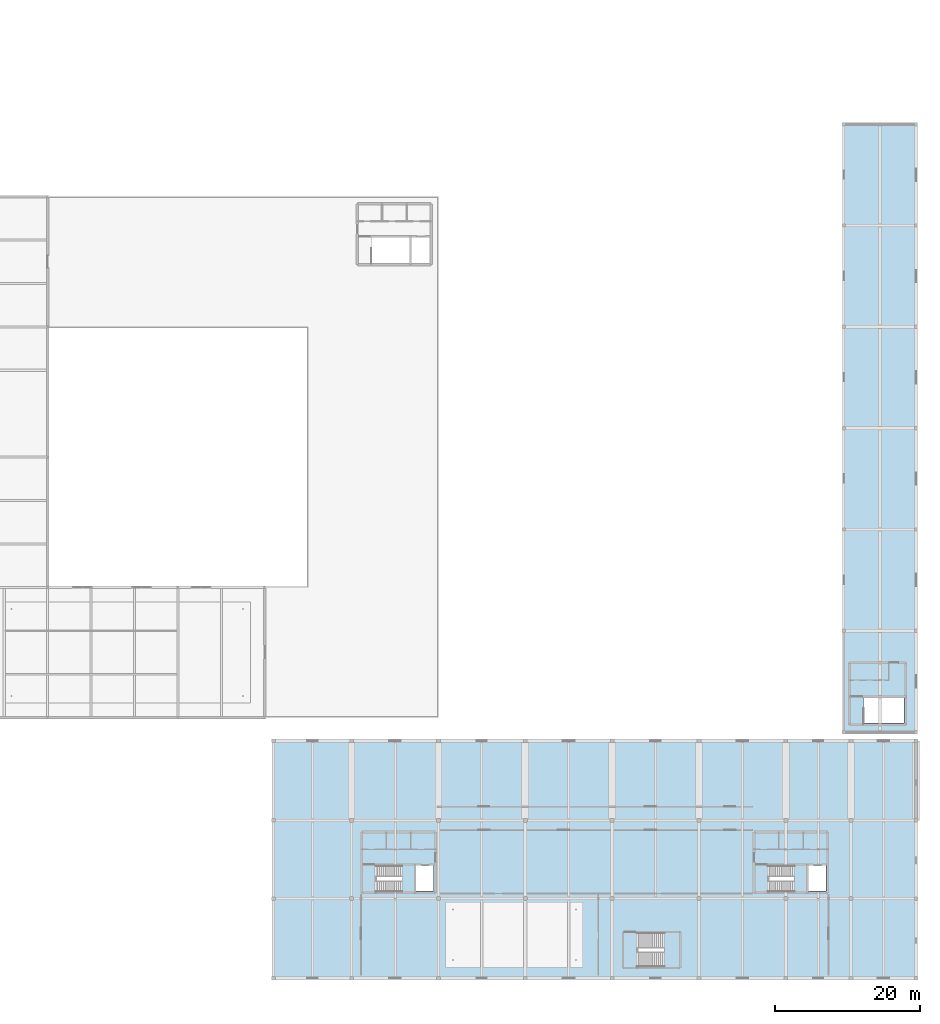
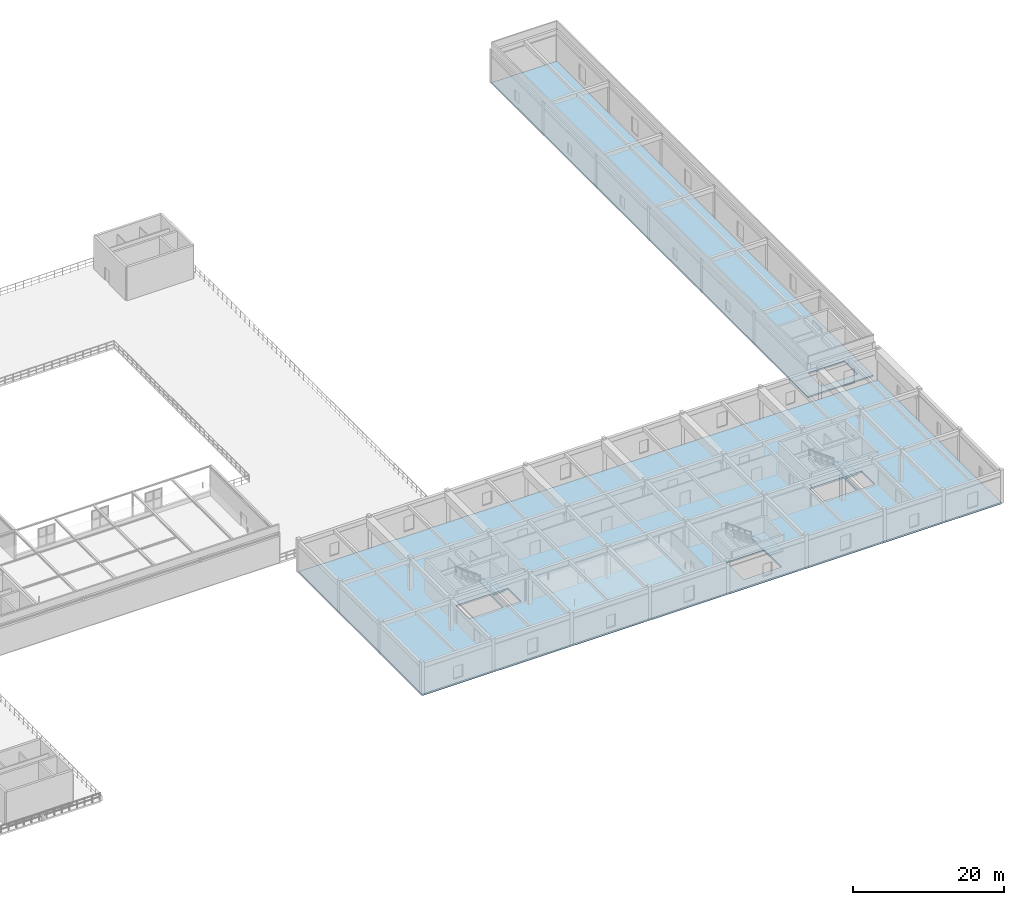
# One storey, part 75 of 97: 5 slabs, 3 elements without a shape of their own.
"""IFC4 building model written with IfcOpenShell, lengths in metres."""

from ifc_helpers import new_model, si_unit, derived_unit, direction, frame, origin, place, context, subcontext, project, spatial, polyline, outline, extrude, material, layer, layer_set, type_object, element, aggregate, save


model = new_model("IFC4")

# Units and contexts
model_context = context("Model", 3, precision=1e-05, world=origin(), true_north=direction((0.0, 1.0)))
body_context = subcontext(model_context, "Body", "Model", "MODEL_VIEW")
ifc_project = project(units=[si_unit("LENGTHUNIT", "METRE"), si_unit("AREAUNIT", "SQUARE_METRE"), si_unit("VOLUMEUNIT", "CUBIC_METRE"), si_unit("PLANEANGLEUNIT", "RADIAN"), si_unit("MASSUNIT", "GRAM", prefix="KILO"), derived_unit("THERMALTRANSMITTANCEUNIT", [(si_unit("POWERUNIT", "WATT"), 1), (si_unit("LENGTHUNIT", "METRE"), -2), (si_unit("THERMODYNAMICTEMPERATUREUNIT", "KELVIN"), -1)])], contexts=[model_context])

# Site, building, storey
site_placement = place(None, origin())
site = spatial("IfcSite", under=ifc_project, at=site_placement, CompositionType="ELEMENT")
building_placement = place(site_placement, origin())
building = spatial("IfcBuilding", under=site, at=building_placement, Name="Almenara Railside Exhibition Hall", CompositionType="ELEMENT")
storey_placement = place(building_placement, frame((0.0, 0.0, 10.800048828125)))
storey = spatial("IfcBuildingStorey", under=building, at=storey_placement, Name="L02", CompositionType="ELEMENT", Elevation=10.800048828125)

# Slabs
ifc_material = material(Name="Concrete C35/45", Category="concrete")
ifc_layer_1 = layer(ifc_material, 0.260009765625, Name="Concrete C35/45")
ifc_layer_set_1 = layer_set([ifc_layer_1], Name="Concrete C35/45")
slab_type_1 = type_object("IfcSlabType", Name="Congress Suspended Slab 260mm C35/45", PredefinedType="FLOOR", material=ifc_layer_set_1)
slab_1_placement = place(storey_placement, frame((0.0, 0.0, -0.260009765625)))
element("IfcSlab", 1, at=slab_1_placement, inside=storey, type_object=slab_type_1, Name="Congress South L02 slab 023", PredefinedType="FLOOR", context=body_context, shape_type="SweptSolid", body=[
    extrude(outline(polyline([(115.199951171875, 0.0), (204.0, 0.0), (204.0, 32.800048828125), (115.199951171875, 32.800048828125), (115.199951171875, 0.0)]), holes=[polyline([(129.350830078125, 12.050048828125), (134.60009765625, 12.050048828125), (134.60009765625, 15.5400390625), (129.350830078125, 15.5400390625), (129.350830078125, 12.050048828125)]), polyline([(134.89990234375, 12.050048828125), (137.35009765625, 12.050048828125), (137.35009765625, 15.5400390625), (134.89990234375, 15.5400390625), (134.89990234375, 12.050048828125)]), polyline([(183.55078125, 12.050048828125), (188.800048828125, 12.050048828125), (188.800048828125, 15.5400390625), (183.55078125, 15.5400390625), (183.55078125, 12.050048828125)]), polyline([(189.10009765625, 12.050048828125), (191.550048828125, 12.050048828125), (191.550048828125, 15.5400390625), (189.10009765625, 15.5400390625), (189.10009765625, 12.050048828125)]), polyline([(165.45068359375, 1.64990234375), (171.25, 1.64990234375), (171.25, 6.25), (165.45068359375, 6.25), (165.45068359375, 1.64990234375)])]), origin(), (0.0, 0.0, 1.0), 0.260009765625),
])
ifc_layer_2 = layer(ifc_material, 0.235107421875, Name="Concrete C35/45")
ifc_layer_set_2 = layer_set([ifc_layer_2], Name="Concrete C35/45")
slab_type_2 = type_object("IfcSlabType", Name="Gallery Mezzanine Slab 235mm C35/45", PredefinedType="FLOOR", material=ifc_layer_set_2)
slab_2_placement = place(storey_placement, frame((0.0, 0.0, -0.235107421875)))
element("IfcSlab", 2, at=slab_2_placement, inside=storey, type_object=slab_type_2, Name="Congress East L02 slab 024", PredefinedType="FLOOR", context=body_context, shape_type="SweptSolid", body=[
    extrude(outline(polyline([(194.0, 34.0), (204.0, 34.0), (204.0, 118.0), (194.0, 118.0), (194.0, 34.0)]), holes=[polyline([(196.750732421875, 35.25), (202.35009765625, 35.25), (202.35009765625, 38.739990234375), (196.750732421875, 38.739990234375), (196.750732421875, 35.25)])]), origin(), (0.0, 0.0, 1.0), 0.235107421875),
])

# Stair, slab
stair_type_1 = type_object("IfcStairType", Name="Core Dog-Leg Escape Stair 1520mm", PredefinedType="TWO_STRAIGHT_RUN_STAIR", material=ifc_material)
stair_1_placement = place(storey_placement, origin())
stair_1 = element("IfcStair", 3, at=stair_1_placement, inside=storey, type_object=stair_type_1, Name="Escape stair ST-C5-L02", PredefinedType="TWO_STRAIGHT_RUN_STAIR")
ifc_layer_3 = layer(ifc_material, 0.199951171875, Name="Concrete C35/45")
ifc_layer_set_3 = layer_set([ifc_layer_3], Name="Concrete C35/45")
slab_type_3 = type_object("IfcSlabType", Name="Stair Half-Landing Slab 200mm C35/45", PredefinedType="LANDING", material=ifc_layer_set_3)
slab_3_placement = place(storey_placement, frame((0.0, 0.0, 2.5)))
slab_3 = element("IfcSlab", 4, at=slab_3_placement, type_object=slab_type_3, Name="ST-C5-L02 landing 1", PredefinedType="LANDING", context=body_context, shape_type="SweptSolid", body=[
    extrude(outline(polyline([(132.959716796875, 11.85009765625), (134.68994140625, 11.85009765625), (134.68994140625, 15.679931640625), (132.959716796875, 15.679931640625), (132.959716796875, 11.85009765625)])), origin(), (0.0, 0.0, 1.0), 0.199951171875),
])
aggregate(stair_1, [slab_3])

stair_2_placement = place(storey_placement, origin())
stair_2 = element("IfcStair", 5, at=stair_2_placement, inside=storey, type_object=stair_type_1, Name="Escape stair ST-C6-L02", PredefinedType="TWO_STRAIGHT_RUN_STAIR")
slab_4_placement = place(storey_placement, frame((0.0, 0.0, 2.5)))
slab_4 = element("IfcSlab", 6, at=slab_4_placement, type_object=slab_type_3, Name="ST-C6-L02 landing 1", PredefinedType="LANDING", context=body_context, shape_type="SweptSolid", body=[
    extrude(outline(polyline([(187.159912109375, 11.85009765625), (188.889892578125, 11.85009765625), (188.889892578125, 15.679931640625), (187.159912109375, 15.679931640625), (187.159912109375, 11.85009765625)])), origin(), (0.0, 0.0, 1.0), 0.199951171875),
])
aggregate(stair_2, [slab_4])

stair_type_2 = type_object("IfcStairType", Name="Hall Escape Dog-Leg Stair 2100mm", PredefinedType="TWO_STRAIGHT_RUN_STAIR", material=ifc_material)
stair_3_placement = place(storey_placement, origin())
stair_3 = element("IfcStair", 7, at=stair_3_placement, inside=storey, type_object=stair_type_2, Name="Escape stair HST4-L02", PredefinedType="TWO_STRAIGHT_RUN_STAIR")
slab_5_placement = place(storey_placement, frame((0.0, 0.0, 2.5)))
slab_5 = element("IfcSlab", 8, at=slab_5_placement, type_object=slab_type_3, Name="HST4-L02 landing 1", PredefinedType="LANDING", context=body_context, shape_type="SweptSolid", body=[
    extrude(outline(polyline([(169.18994140625, 1.449951171875), (171.43994140625, 1.449951171875), (171.43994140625, 6.3798828125), (169.18994140625, 6.3798828125), (169.18994140625, 1.449951171875)])), origin(), (0.0, 0.0, 1.0), 0.199951171875),
])
aggregate(stair_3, [slab_5])

save(model, "model.ifc")
